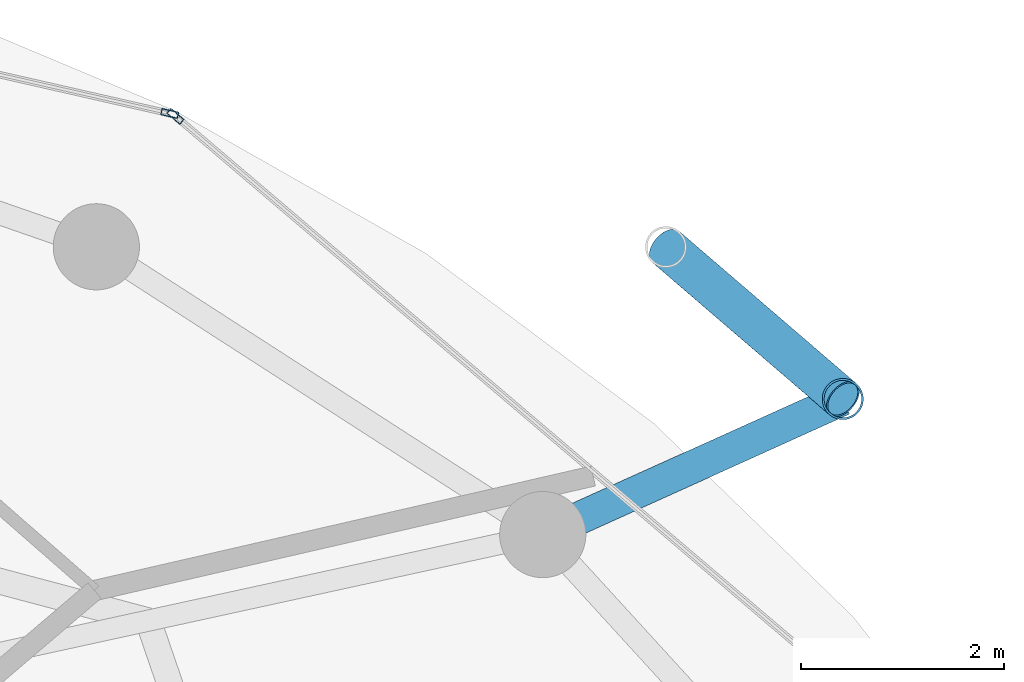
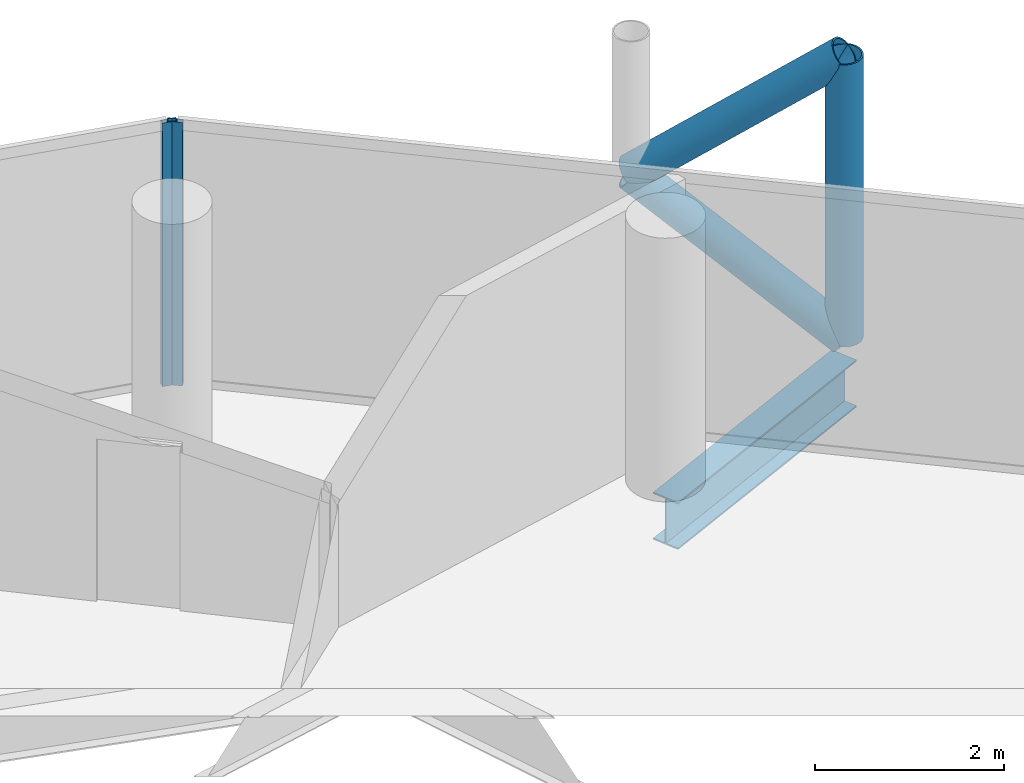
# One storey, part 21 of 27: 5 members, 1 beam, 2 elements without a shape of their own.
"""IFC4 building model written with IfcOpenShell, lengths in metres."""

from ifc_helpers import new_model, si_unit, direction, frame, origin, origin_2d, place, context, subcontext, project, spatial, hollow_rectangle, hollow_circle, i_section, extrude, material, layer, layer_set, material_profile, profile_set, type_object, element, aggregate, save


model = new_model("IFC4")

# Units and contexts
model_context = context("Model", 3, precision=1e-05, world=origin(), true_north=direction((0.0, 1.0)))
body_context = subcontext(model_context, "Body", "Model", "MODEL_VIEW")
ifc_project = project(units=[si_unit("LENGTHUNIT", "METRE"), si_unit("AREAUNIT", "SQUARE_METRE"), si_unit("VOLUMEUNIT", "CUBIC_METRE"), si_unit("PLANEANGLEUNIT", "RADIAN"), si_unit("MASSUNIT", "GRAM", prefix="KILO")], contexts=[model_context])

# Site, building, storey
site_placement = place(None, origin())
site = spatial("IfcSite", under=ifc_project, at=site_placement, CompositionType="ELEMENT")
building_placement = place(site_placement, origin())
building = spatial("IfcBuilding", under=site, at=building_placement, Name="Nuhasar Tower", CompositionType="ELEMENT")
storey_placement = place(building_placement, frame((0.0, 0.0, 211.800048828125)))
storey = spatial("IfcBuildingStorey", under=building, at=storey_placement, Name="L51", CompositionType="ELEMENT", Elevation=211.800048828125)

# Beam
ifc_material_1 = material(Name="Steel S355", Category="steel")
ifc_material_profile_1 = material_profile(ifc_material_1, i_section(OverallWidth=0.323974609375, OverallDepth=0.611083984375, WebThickness=0.0126953125, FlangeThickness=0.01904296875, at=origin_2d()), Name="W24X104")
ifc_profile_set_1 = profile_set([ifc_material_profile_1], Name="Steel S355")
beam_type = type_object("IfcBeamType", Name="BM-TIE-W24X104", PredefinedType="BEAM", material=ifc_profile_set_1)
beam_placement = place(storey_placement, frame((54.02587890625, 39.422119140625, -0.545166015625), z_axis=(0.911363318082, 0.411602845538, 0.0), x_axis=(-0.411602845538, 0.911363318082, 0.0)))
element("IfcBeam", 1, at=beam_placement, inside=storey, type_object=beam_type, Name="L51 Exoskeleton Node Tie Beam 02", PredefinedType="BEAM", context=body_context, shape_type="SweptSolid", body=[
    extrude(i_section(OverallWidth=0.323974609375, OverallDepth=0.611083984375, WebThickness=0.0126953125, FlangeThickness=0.01904296875, at=origin_2d()), origin(), (0.0, 0.0, 1.0), 3.24560546875),
])

# Curtain wall, member
ifc_material_2 = material(Name="Aluminium 6063-T6", Category="aluminium")
ifc_layer = layer(ifc_material_2, 0.18994140625)
ifc_layer_set = layer_set([ifc_layer], Name="Aluminium 6063-T6")
curtain_wall_type = type_object("IfcCurtainWallType", Name="CW-Z3-RES", PredefinedType="NOTDEFINED", material=ifc_layer_set)
curtain_wall_1_placement = place(storey_placement, origin())
curtain_wall_1 = element("IfcCurtainWall", 2, at=curtain_wall_1_placement, inside=storey, type_object=curtain_wall_type, Name="L51 Unitised Curtain Wall 02", PredefinedType="NOTDEFINED")
ifc_material_profile_2 = material_profile(ifc_material_2, hollow_rectangle(XDim=0.06494140625, YDim=0.169921875, WallThickness=0.0048828125, at=origin_2d()), Name="CWM-4")
ifc_profile_set_2 = profile_set([ifc_material_profile_2], Name="Aluminium 6063-T6")
member_type_1 = type_object("IfcMemberType", Name="CW-MUL-S4", PredefinedType="MULLION", material=ifc_profile_set_2)
member_1_placement = place(storey_placement, frame((50.40478515625, 43.544921875, 0.0), z_axis=(0.0, 0.0, 1.0), x_axis=(-0.64789521578, -0.761729472562, 0.0)))
member_1 = element("IfcMember", 3, at=member_1_placement, type_object=member_type_1, Name="CW-Z3 mullion 2", PredefinedType="MULLION", context=body_context, shape_type="SweptSolid", body=[
    extrude(hollow_rectangle(XDim=0.06494140625, YDim=0.169921875, WallThickness=0.0048828125, at=origin_2d()), origin(), (0.0, 0.0, 1.0), 3.409912109375),
])
aggregate(curtain_wall_1, [member_1])

curtain_wall_2_placement = place(storey_placement, origin())
curtain_wall_2 = element("IfcCurtainWall", 4, at=curtain_wall_2_placement, inside=storey, type_object=curtain_wall_type, Name="L51 Unitised Curtain Wall 03", PredefinedType="NOTDEFINED")
member_2_placement = place(storey_placement, frame((50.348388671875, 43.5732421875, 0.0), z_axis=(0.0, 0.0, 1.0), x_axis=(-0.222243176313, -0.974991266926, 0.0)))
member_2 = element("IfcMember", 5, at=member_2_placement, type_object=member_type_1, Name="CW-Z3 mullion 1", PredefinedType="MULLION", context=body_context, shape_type="SweptSolid", body=[
    extrude(hollow_rectangle(XDim=0.06494140625, YDim=0.169921875, WallThickness=0.0048828125, at=origin_2d()), origin(), (0.0, 0.0, 1.0), 3.409912109375),
])
aggregate(curtain_wall_2, [member_2])

# Members
ifc_material_3 = material(Name="Steel S460", Category="steel")
ifc_material_profile_3 = material_profile(ifc_material_3, hollow_circle(Radius=0.203125, WallThickness=0.01904296875, at=origin_2d()), Name="HSS406.4X19.1")
ifc_profile_set_3 = profile_set([ifc_material_profile_3], Name="Steel S460")
member_type_2 = type_object("IfcMemberType", Name="EXO-BRONZE-406", PredefinedType="BRACE", material=ifc_profile_set_3)
member_3_placement = place(storey_placement, frame((56.98388671875, 40.758056640625, 0.0), z_axis=(0.0, 0.0, 1.0), x_axis=(1.0, 0.0, 0.0)))
element("IfcMember", 6, at=member_3_placement, inside=storey, type_object=member_type_2, Name="L51 Exoskeleton Chord Column EC-02A", PredefinedType="BRACE", context=body_context, shape_type="SweptSolid", body=[
    extrude(hollow_circle(Radius=0.203125, WallThickness=0.01904296875, at=origin_2d()), origin(), (0.0, 0.0, 1.0), 3.64990234375),
])
for number, where, z_axis, x_axis, name in (
    (7, (56.98388671875, 40.758056640625, 0.0), (-0.594018535389, 0.510608120858, 0.621627964725), (-0.65185738425, -0.758341579104, 0.0), "L51 Bronze Diagrid Brace W1-02"),
    (8, (55.239990234375, 42.257080078125, 1.824951171875), (0.594018535389, -0.510608120858, 0.621627964725), (0.65185738425, 0.758341579104, 0.0), "L51 Bronze Diagrid Brace W2-02"),
):
    element("IfcMember", number, at=place(storey_placement, frame(where, z_axis=z_axis, x_axis=x_axis)), inside=storey, type_object=member_type_2, Name=name, PredefinedType="BRACE", context=body_context, shape_type="SweptSolid", body=[
        extrude(hollow_circle(Radius=0.203125, WallThickness=0.01904296875, at=origin_2d()), origin(), (0.0, 0.0, 1.0), 2.935791015625),
    ])

save(model, "model.ifc")
